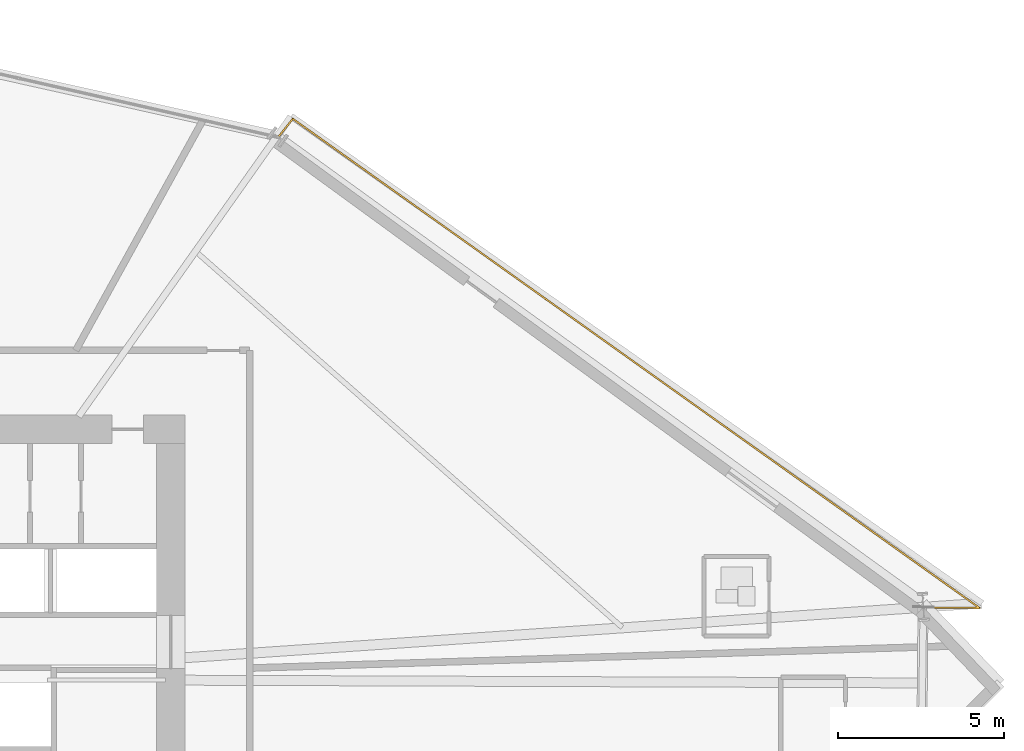
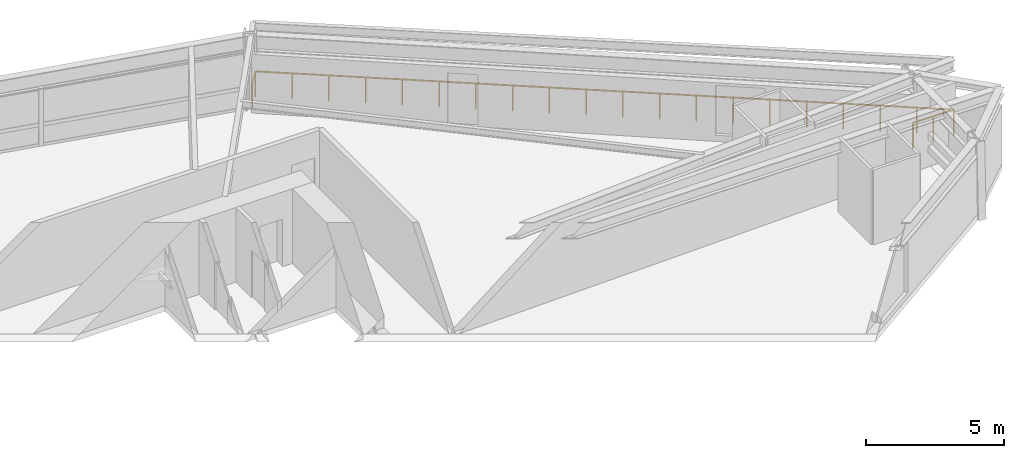
# One storey, part 22 of 23: 1 railing.
"""IFC4 building model written with IfcOpenShell, lengths in metres."""

from ifc_helpers import new_model, si_unit, direction, frame, origin, origin_2d, place, context, subcontext, project, spatial, rectangle, extrude, material, type_object, element, save


model = new_model("IFC4")

# Units and contexts
model_context = context("Model", 3, precision=1e-05, world=origin(), true_north=direction((0.0, 1.0)))
body_context = subcontext(model_context, "Body", "Model", "MODEL_VIEW")
ifc_project = project(units=[si_unit("LENGTHUNIT", "METRE"), si_unit("AREAUNIT", "SQUARE_METRE"), si_unit("VOLUMEUNIT", "CUBIC_METRE"), si_unit("PLANEANGLEUNIT", "RADIAN"), si_unit("MASSUNIT", "GRAM", prefix="KILO")], contexts=[model_context])

# Site, building, storey
site_placement = place(None, origin())
site = spatial("IfcSite", under=ifc_project, at=site_placement, CompositionType="ELEMENT")
building_placement = place(site_placement, origin())
building = spatial("IfcBuilding", under=site, at=building_placement, Name="Olszyna Solenne Hotel", CompositionType="ELEMENT")
storey_placement = place(building_placement, frame((0.0, 0.0, 32.85009765625)))
storey = spatial("IfcBuildingStorey", under=building, at=storey_placement, Name="L07", CompositionType="ELEMENT", Elevation=32.85009765625)

# Railing
ifc_material = material(Name="Anodised bronze aluminium", Category="aluminium")
railing_type = type_object("IfcRailingType", Name="GR-110", PredefinedType="BALUSTRADE", material=ifc_material)
railing_placement = place(storey_placement, frame((68.97509765625, 28.75927734375, 0.0)))
element("IfcRailing", 1, at=railing_placement, inside=storey, type_object=railing_type, Name="Loggia balcony balustrade guard GR-L07-LG1", PredefinedType="BALUSTRADE", context=body_context, shape_type="SweptSolid", body=[
    extrude(rectangle(XDim=0.048095703125, YDim=0.048095703125, at=origin_2d()), frame((0.0, 0.0, 1.1259765625), z_axis=(0.999964978342, -0.008369115259, 0.0), x_axis=(0.008369115259, 0.999964978342, 0.0)), (0.0, 0.0, 1.0), 1.69189453125),
    extrude(rectangle(XDim=0.048095703125, YDim=0.048095703125, at=origin_2d()), frame((1.69189453125, -0.01416015625, 1.1259765625), z_axis=(-0.814483610188, 0.580186563732, 0.0), x_axis=(-0.580186563732, -0.814483610188, 0.0)), (0.0, 0.0, 1.0), 25.376220703125),
    extrude(rectangle(XDim=0.048095703125, YDim=0.048095703125, at=origin_2d()), frame((-18.9765625, 14.708740234375, 1.1259765625), z_axis=(-0.625785855987, -0.779994911808, 0.0), x_axis=(0.779994911808, -0.625785855987, 0.0)), (0.0, 0.0, 1.0), 0.709228515625),
    extrude(rectangle(XDim=0.0419921875, YDim=0.0419921875, at=origin_2d()), origin(), (0.0, 0.0, 1.0), 1.101806640625),
    extrude(rectangle(XDim=0.0419921875, YDim=0.0419921875, at=origin_2d()), frame((0.845947265625, -0.007080078125, 0.0)), (0.0, 0.0, 1.0), 1.101806640625),
    extrude(rectangle(XDim=0.0419921875, YDim=0.0419921875, at=origin_2d()), frame((1.69189453125, -0.01416015625, 0.0)), (0.0, 0.0, 1.0), 1.101806640625),
    extrude(rectangle(XDim=0.0419921875, YDim=0.0419921875, at=origin_2d()), frame((0.60400390625, 0.7607421875, 0.0)), (0.0, 0.0, 1.0), 1.101806640625),
    extrude(rectangle(XDim=0.0419921875, YDim=0.0419921875, at=origin_2d()), frame((-0.483642578125, 1.53564453125, 0.0)), (0.0, 0.0, 1.0), 1.101806640625),
    extrude(rectangle(XDim=0.0419921875, YDim=0.0419921875, at=origin_2d()), frame((-1.571533203125, 2.310546875, 0.0)), (0.0, 0.0, 1.0), 1.101806640625),
    extrude(rectangle(XDim=0.0419921875, YDim=0.0419921875, at=origin_2d()), frame((-2.659423828125, 3.08544921875, 0.0)), (0.0, 0.0, 1.0), 1.101806640625),
    extrude(rectangle(XDim=0.0419921875, YDim=0.0419921875, at=origin_2d()), frame((-3.7470703125, 3.8603515625, 0.0)), (0.0, 0.0, 1.0), 1.101806640625),
    extrude(rectangle(XDim=0.0419921875, YDim=0.0419921875, at=origin_2d()), frame((-4.8349609375, 4.63525390625, 0.0)), (0.0, 0.0, 1.0), 1.101806640625),
    extrude(rectangle(XDim=0.0419921875, YDim=0.0419921875, at=origin_2d()), frame((-5.9228515625, 5.41015625, 0.0)), (0.0, 0.0, 1.0), 1.101806640625),
    extrude(rectangle(XDim=0.0419921875, YDim=0.0419921875, at=origin_2d()), frame((-7.010498046875, 6.18505859375, 0.0)), (0.0, 0.0, 1.0), 1.101806640625),
    extrude(rectangle(XDim=0.0419921875, YDim=0.0419921875, at=origin_2d()), frame((-8.098388671875, 6.9599609375, 0.0)), (0.0, 0.0, 1.0), 1.101806640625),
    extrude(rectangle(XDim=0.0419921875, YDim=0.0419921875, at=origin_2d()), frame((-9.186279296875, 7.734619140625, 0.0)), (0.0, 0.0, 1.0), 1.101806640625),
    extrude(rectangle(XDim=0.0419921875, YDim=0.0419921875, at=origin_2d()), frame((-10.274169921875, 8.509521484375, 0.0)), (0.0, 0.0, 1.0), 1.101806640625),
    extrude(rectangle(XDim=0.0419921875, YDim=0.0419921875, at=origin_2d()), frame((-11.36181640625, 9.284423828125, 0.0)), (0.0, 0.0, 1.0), 1.101806640625),
    extrude(rectangle(XDim=0.0419921875, YDim=0.0419921875, at=origin_2d()), frame((-12.44970703125, 10.059326171875, 0.0)), (0.0, 0.0, 1.0), 1.101806640625),
    extrude(rectangle(XDim=0.0419921875, YDim=0.0419921875, at=origin_2d()), frame((-13.53759765625, 10.834228515625, 0.0)), (0.0, 0.0, 1.0), 1.101806640625),
    extrude(rectangle(XDim=0.0419921875, YDim=0.0419921875, at=origin_2d()), frame((-14.625244140625, 11.609130859375, 0.0)), (0.0, 0.0, 1.0), 1.101806640625),
    extrude(rectangle(XDim=0.0419921875, YDim=0.0419921875, at=origin_2d()), frame((-15.713134765625, 12.384033203125, 0.0)), (0.0, 0.0, 1.0), 1.101806640625),
    extrude(rectangle(XDim=0.0419921875, YDim=0.0419921875, at=origin_2d()), frame((-16.801025390625, 13.158935546875, 0.0)), (0.0, 0.0, 1.0), 1.101806640625),
    extrude(rectangle(XDim=0.0419921875, YDim=0.0419921875, at=origin_2d()), frame((-17.888671875, 13.933837890625, 0.0)), (0.0, 0.0, 1.0), 1.101806640625),
    extrude(rectangle(XDim=0.0419921875, YDim=0.0419921875, at=origin_2d()), frame((-18.9765625, 14.708740234375, 0.0)), (0.0, 0.0, 1.0), 1.101806640625),
    extrude(rectangle(XDim=0.0419921875, YDim=0.0419921875, at=origin_2d()), frame((-19.42041015625, 14.155517578125, 0.0)), (0.0, 0.0, 1.0), 1.101806640625),
])

save(model, "model.ifc")
